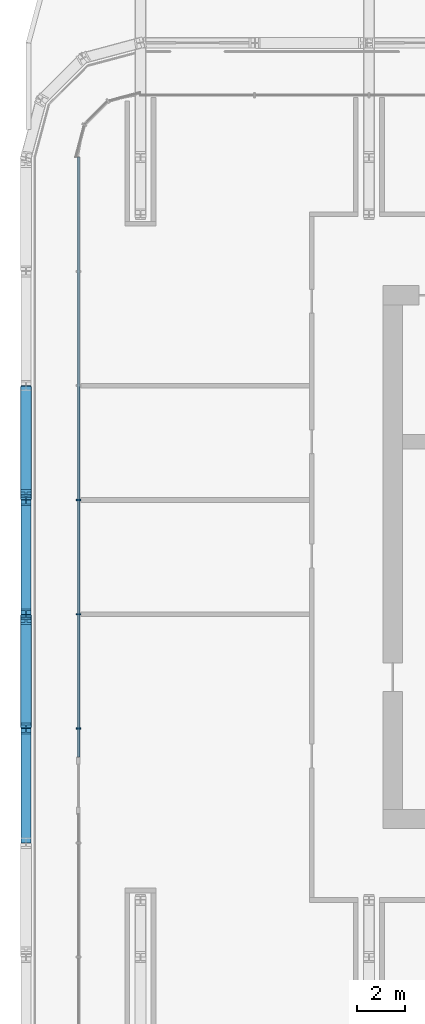
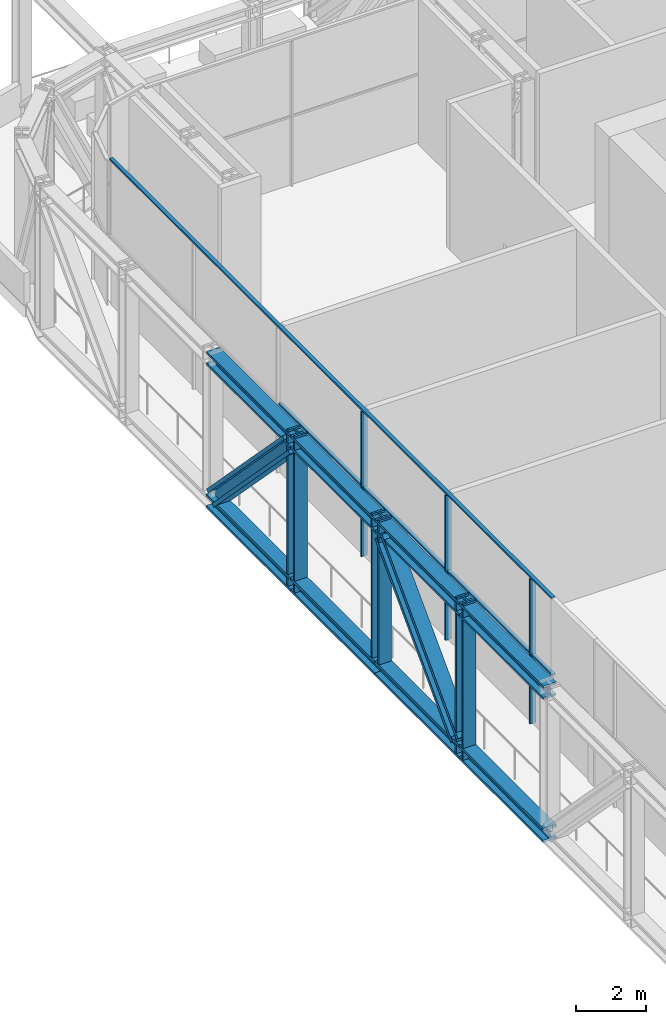
# One storey, part 4 of 27: 21 members, 1 element without a shape of its own.
"""IFC4 building model written with IfcOpenShell, lengths in metres."""

from ifc_helpers import new_model, si_unit, direction, frame, origin, origin_2d, place, context, subcontext, project, spatial, rectangle, i_section, extrude, material, layer, layer_set, material_profile, profile_set, type_object, element, aggregate, save


model = new_model("IFC4")

# Units and contexts
model_context = context("Model", 3, precision=1e-05, world=origin(), true_north=direction((0.0, 1.0)))
body_context = subcontext(model_context, "Body", "Model", "MODEL_VIEW")
ifc_project = project(units=[si_unit("LENGTHUNIT", "METRE"), si_unit("AREAUNIT", "SQUARE_METRE"), si_unit("VOLUMEUNIT", "CUBIC_METRE"), si_unit("PLANEANGLEUNIT", "RADIAN"), si_unit("MASSUNIT", "GRAM", prefix="KILO")], contexts=[model_context])

# Site, building, storey
site_placement = place(None, origin())
site = spatial("IfcSite", under=ifc_project, at=site_placement, CompositionType="ELEMENT")
building_placement = place(site_placement, origin())
building = spatial("IfcBuilding", under=site, at=building_placement, Name="Madar Terraces", CompositionType="ELEMENT")
storey_placement = place(building_placement, frame((0.0, 0.0, 143.60009765625)))
storey = spatial("IfcBuildingStorey", under=building, at=storey_placement, Name="L37", CompositionType="ELEMENT", Elevation=143.60009765625)

# Members
ifc_material_1 = material(Name="Steel ASTM A913 Grade 65", Category="steel")
ifc_material_profile_1 = material_profile(ifc_material_1, i_section(OverallWidth=0.431884765625, OverallDepth=0.497802734375, WebThickness=0.0556640625, FlangeThickness=0.0888671875, at=origin_2d()), Name="W14x500")
ifc_profile_set_1 = profile_set([ifc_material_profile_1], Name="Steel ASTM A913 Grade 65")
member_type_1 = type_object("IfcMemberType", Name="BC5 W14x500", PredefinedType="CHORD", material=ifc_profile_set_1)
for number, where, z_axis, x_axis, name in (
    (1, (0.0, 33.60009765625, -0.171142578125), (0.0, -1.0, 0.0), (1.0, 0.0, 0.0), "Exoskeleton truss ring bottom chord BC5"),
    (2, (0.0, 28.800048828125, -0.171142578125), (0.0, -1.0, 0.0), (1.0, 0.0, 0.0), "Exoskeleton truss ring bottom chord BC5"),
    (3, (0.0, 24.0, -0.171142578125), (0.0, -1.0, 0.0), (1.0, 0.0, 0.0), "Exoskeleton truss ring bottom chord BC5"),
    (4, (0.0, 19.199951171875, -0.171142578125), (0.0, -1.0, 0.0), (1.0, 0.0, 0.0), "Exoskeleton truss ring bottom chord BC5"),
):
    element("IfcMember", number, at=place(storey_placement, frame(where, z_axis=z_axis, x_axis=x_axis)), inside=storey, type_object=member_type_1, Name=name, PredefinedType="CHORD", context=body_context, shape_type="SweptSolid", body=[
        extrude(i_section(OverallWidth=0.431884765625, OverallDepth=0.497802734375, WebThickness=0.0556640625, FlangeThickness=0.0888671875, at=origin_2d()), origin(), (0.0, 0.0, 1.0), 4.800048828125),
    ])

# Curtain wall, members
ifc_material_2 = material(Name="Glass, ceramic frit dark grey, with black aluminium frame", Category="aluminium")
ifc_layer = layer(ifc_material_2, 0.199951171875)
ifc_layer_set = layer_set([ifc_layer], Name="Facade curtain wall, tall glazing")
curtain_wall_type = type_object("IfcCurtainWallType", Name="Facade curtain wall, tall glazing", PredefinedType="NOTDEFINED", material=ifc_layer_set)
curtain_wall_placement = place(storey_placement, origin())
curtain_wall = element("IfcCurtainWall", 5, at=curtain_wall_placement, inside=storey, type_object=curtain_wall_type, Name="Outer skin curtain wall west bay 1", PredefinedType="NOTDEFINED")
ifc_material_3 = material(Name="Aluminium, black anodised", Category="aluminium")
ifc_material_profile_2 = material_profile(ifc_material_3, rectangle(XDim=0.199951171875, YDim=0.06005859375, at=origin_2d()), Name="Facade mullion 60x200")
ifc_profile_set_2 = profile_set([ifc_material_profile_2], Name="Aluminium, black anodised")
member_type_2 = type_object("IfcMemberType", Name="Facade mullion 60x200", PredefinedType="MULLION", material=ifc_profile_set_2)
member_1_placement = place(storey_placement, frame((2.199951171875, 28.800048828125, 0.0), z_axis=(0.0, 0.0, 1.0), x_axis=(1.0, 0.0, 0.0)))
member_1 = element("IfcMember", 6, at=member_1_placement, type_object=member_type_2, Name="Mullion 3", PredefinedType="MULLION", context=body_context, shape_type="SweptSolid", body=[
    extrude(rectangle(XDim=0.199951171875, YDim=0.06005859375, at=origin_2d()), origin(), (0.0, 0.0, 1.0), 5.039794921875),
])
member_2_placement = place(storey_placement, frame((2.199951171875, 24.0, 0.0), z_axis=(0.0, 0.0, 1.0), x_axis=(1.0, 0.0, 0.0)))
member_2 = element("IfcMember", 7, at=member_2_placement, type_object=member_type_2, Name="Mullion 4", PredefinedType="MULLION", context=body_context, shape_type="SweptSolid", body=[
    extrude(rectangle(XDim=0.199951171875, YDim=0.06005859375, at=origin_2d()), origin(), (0.0, 0.0, 1.0), 5.039794921875),
])
member_3_placement = place(storey_placement, frame((2.199951171875, 19.199951171875, 0.0), z_axis=(0.0, 0.0, 1.0), x_axis=(1.0, 0.0, 0.0)))
member_3 = element("IfcMember", 8, at=member_3_placement, type_object=member_type_2, Name="Mullion 5", PredefinedType="MULLION", context=body_context, shape_type="SweptSolid", body=[
    extrude(rectangle(XDim=0.199951171875, YDim=0.06005859375, at=origin_2d()), origin(), (0.0, 0.0, 1.0), 5.039794921875),
])
ifc_material_4 = material(Name="Aluminium, black anodised", Category="aluminium")
ifc_material_profile_3 = material_profile(ifc_material_4, rectangle(XDim=0.1201171875, YDim=0.06005859375, at=origin_2d()), Name="Facade transom 60x120")
ifc_profile_set_3 = profile_set([ifc_material_profile_3], Name="Aluminium, black anodised")
member_type_3 = type_object("IfcMemberType", Name="Facade transom 60x120", PredefinedType="USERDEFINED", material=ifc_profile_set_3)
member_4_placement = place(storey_placement, frame((2.199951171875, 43.199951171875, 5.06982421875), z_axis=(0.0, -1.0, 0.0), x_axis=(1.0, 0.0, 0.0)))
member_4 = element("IfcMember", 9, at=member_4_placement, type_object=member_type_3, Name="Transom 1", ObjectType="TRANSOM", PredefinedType="USERDEFINED", context=body_context, shape_type="SweptSolid", body=[
    extrude(rectangle(XDim=0.1201171875, YDim=0.06005859375, at=origin_2d()), origin(), (0.0, 0.0, 1.0), 25.199951171875),
])
member_5_placement = place(storey_placement, frame((2.199951171875, 33.570068359375, 2.39990234375), z_axis=(0.0, -1.0, 0.0), x_axis=(1.0, 0.0, 0.0)))
member_5 = element("IfcMember", 10, at=member_5_placement, type_object=member_type_3, Name="Transom 4", ObjectType="TRANSOM", PredefinedType="USERDEFINED", context=body_context, shape_type="SweptSolid", body=[
    extrude(rectangle(XDim=0.1201171875, YDim=0.06005859375, at=origin_2d()), origin(), (0.0, 0.0, 1.0), 4.739990234375),
])
member_6_placement = place(storey_placement, frame((2.199951171875, 28.77001953125, 2.39990234375), z_axis=(0.0, -1.0, 0.0), x_axis=(1.0, 0.0, 0.0)))
member_6 = element("IfcMember", 11, at=member_6_placement, type_object=member_type_3, Name="Transom 5", ObjectType="TRANSOM", PredefinedType="USERDEFINED", context=body_context, shape_type="SweptSolid", body=[
    extrude(rectangle(XDim=0.1201171875, YDim=0.06005859375, at=origin_2d()), origin(), (0.0, 0.0, 1.0), 4.739990234375),
])
member_7_placement = place(storey_placement, frame((2.199951171875, 23.969970703125, 2.39990234375), z_axis=(0.0, -1.0, 0.0), x_axis=(1.0, 0.0, 0.0)))
member_7 = element("IfcMember", 12, at=member_7_placement, type_object=member_type_3, Name="Transom 6", ObjectType="TRANSOM", PredefinedType="USERDEFINED", context=body_context, shape_type="SweptSolid", body=[
    extrude(rectangle(XDim=0.1201171875, YDim=0.06005859375, at=origin_2d()), origin(), (0.0, 0.0, 1.0), 4.739990234375),
])
member_8_placement = place(storey_placement, frame((2.199951171875, 19.169921875, 2.39990234375), z_axis=(0.0, -1.0, 0.0), x_axis=(1.0, 0.0, 0.0)))
member_8 = element("IfcMember", 13, at=member_8_placement, type_object=member_type_3, Name="Transom 7", ObjectType="TRANSOM", PredefinedType="USERDEFINED", context=body_context, shape_type="SweptSolid", body=[
    extrude(rectangle(XDim=0.1201171875, YDim=0.06005859375, at=origin_2d()), origin(), (0.0, 0.0, 1.0), 1.169921875),
])
aggregate(curtain_wall, [member_1, member_2, member_3, member_4, member_5, member_6, member_7, member_8])

# Members
ifc_material_5 = material(Name="Steel ASTM A913 Grade 65", Category="steel")
ifc_material_profile_4 = material_profile(ifc_material_5, i_section(OverallWidth=0.424072265625, OverallDepth=0.47509765625, WebThickness=0.0478515625, FlangeThickness=0.0771484375, at=origin_2d()), Name="W14x426")
ifc_profile_set_4 = profile_set([ifc_material_profile_4], Name="Steel ASTM A913 Grade 65")
member_type_4 = type_object("IfcMemberType", Name="TC5 W14x426", PredefinedType="CHORD", material=ifc_profile_set_4)
for number, where, z_axis, x_axis, name in (
    (14, (0.0, 33.60009765625, 4.79248046875), (0.0, -1.0, 0.0), (1.0, 0.0, 0.0), "Exoskeleton truss ring top chord TC5"),
    (15, (0.0, 28.800048828125, 4.79248046875), (0.0, -1.0, 0.0), (1.0, 0.0, 0.0), "Exoskeleton truss ring top chord TC5"),
    (16, (0.0, 24.0, 4.79248046875), (0.0, -1.0, 0.0), (1.0, 0.0, 0.0), "Exoskeleton truss ring top chord TC5"),
    (17, (0.0, 19.199951171875, 4.79248046875), (0.0, -1.0, 0.0), (1.0, 0.0, 0.0), "Exoskeleton truss ring top chord TC5"),
):
    element("IfcMember", number, at=place(storey_placement, frame(where, z_axis=z_axis, x_axis=x_axis)), inside=storey, type_object=member_type_4, Name=name, PredefinedType="CHORD", context=body_context, shape_type="SweptSolid", body=[
        extrude(i_section(OverallWidth=0.424072265625, OverallDepth=0.47509765625, WebThickness=0.0478515625, FlangeThickness=0.0771484375, at=origin_2d()), origin(), (0.0, 0.0, 1.0), 4.800048828125),
    ])
ifc_material_6 = material(Name="Steel ASTM A913 Grade 65", Category="steel")
ifc_material_profile_5 = material_profile(ifc_material_6, i_section(OverallWidth=0.45458984375, OverallDepth=0.56884765625, WebThickness=0.077880859375, FlangeThickness=0.124755859375, at=origin_2d()), Name="W14x730")
ifc_profile_set_5 = profile_set([ifc_material_profile_5], Name="Steel ASTM A913 Grade 65")
member_type_5 = type_object("IfcMemberType", Name="TD5 W14x730", PredefinedType="BRACE", material=ifc_profile_set_5)
member_9_placement = place(storey_placement, frame((0.0, 33.359375, 0.07763671875), z_axis=(0.0, -0.695170001979, 0.718845371654), x_axis=(1.0, 0.0, 0.0)))
element("IfcMember", 18, at=member_9_placement, inside=storey, type_object=member_type_5, Name="Exoskeleton truss ring diagonal TD5", PredefinedType="BRACE", context=body_context, shape_type="SweptSolid", body=[
    extrude(i_section(OverallWidth=0.45458984375, OverallDepth=0.56884765625, WebThickness=0.077880859375, FlangeThickness=0.124755859375, at=origin_2d()), origin(), (0.0, 0.0, 1.0), 6.228515625),
])
member_10_placement = place(storey_placement, frame((0.0, 23.770263671875, 4.554931640625), z_axis=(0.0, -0.695149746219, -0.718864959733), x_axis=(1.0, 0.0, 0.0)))
element("IfcMember", 19, at=member_10_placement, inside=storey, type_object=member_type_5, Name="Exoskeleton truss ring diagonal TD5", PredefinedType="BRACE", context=body_context, shape_type="SweptSolid", body=[
    extrude(i_section(OverallWidth=0.45458984375, OverallDepth=0.56884765625, WebThickness=0.077880859375, FlangeThickness=0.124755859375, at=origin_2d()), origin(), (0.0, 0.0, 1.0), 6.228271484375),
])
ifc_material_7 = material(Name="Steel ASTM A913 Grade 65", Category="steel")
ifc_material_profile_6 = material_profile(ifc_material_7, i_section(OverallWidth=0.419189453125, OverallDepth=0.45458984375, WebThickness=0.042236328125, FlangeThickness=0.067626953125, at=origin_2d()), Name="W14x370")
ifc_profile_set_6 = profile_set([ifc_material_profile_6], Name="Steel ASTM A913 Grade 65")
member_type_6 = type_object("IfcMemberType", Name="TV5 W14x370", PredefinedType="POST", material=ifc_profile_set_6)
member_11_placement = place(storey_placement, frame((0.0, 28.800048828125, -0.420166015625), z_axis=(0.0, 0.0, 1.0), x_axis=(1.0, 0.0, 0.0)))
element("IfcMember", 20, at=member_11_placement, inside=storey, type_object=member_type_6, Name="Exoskeleton truss ring post TV5", PredefinedType="POST", context=body_context, shape_type="SweptSolid", body=[
    extrude(i_section(OverallWidth=0.419189453125, OverallDepth=0.45458984375, WebThickness=0.042236328125, FlangeThickness=0.067626953125, at=origin_2d()), origin(), (0.0, 0.0, 1.0), 5.52001953125),
])
member_12_placement = place(storey_placement, frame((0.0, 24.0, 0.07763671875), z_axis=(0.0, 0.0, 1.0), x_axis=(1.0, 0.0, 0.0)))
element("IfcMember", 21, at=member_12_placement, inside=storey, type_object=member_type_6, Name="Exoskeleton truss ring post TV5", PredefinedType="POST", context=body_context, shape_type="SweptSolid", body=[
    extrude(i_section(OverallWidth=0.419189453125, OverallDepth=0.45458984375, WebThickness=0.042236328125, FlangeThickness=0.067626953125, at=origin_2d()), origin(), (0.0, 0.0, 1.0), 5.022216796875),
])
member_13_placement = place(storey_placement, frame((0.0, 19.199951171875, -0.420166015625), z_axis=(0.0, 0.0, 1.0), x_axis=(1.0, 0.0, 0.0)))
element("IfcMember", 22, at=member_13_placement, inside=storey, type_object=member_type_6, Name="Exoskeleton truss ring post TV5", PredefinedType="POST", context=body_context, shape_type="SweptSolid", body=[
    extrude(i_section(OverallWidth=0.419189453125, OverallDepth=0.45458984375, WebThickness=0.042236328125, FlangeThickness=0.067626953125, at=origin_2d()), origin(), (0.0, 0.0, 1.0), 5.52001953125),
])

save(model, "model.ifc")
